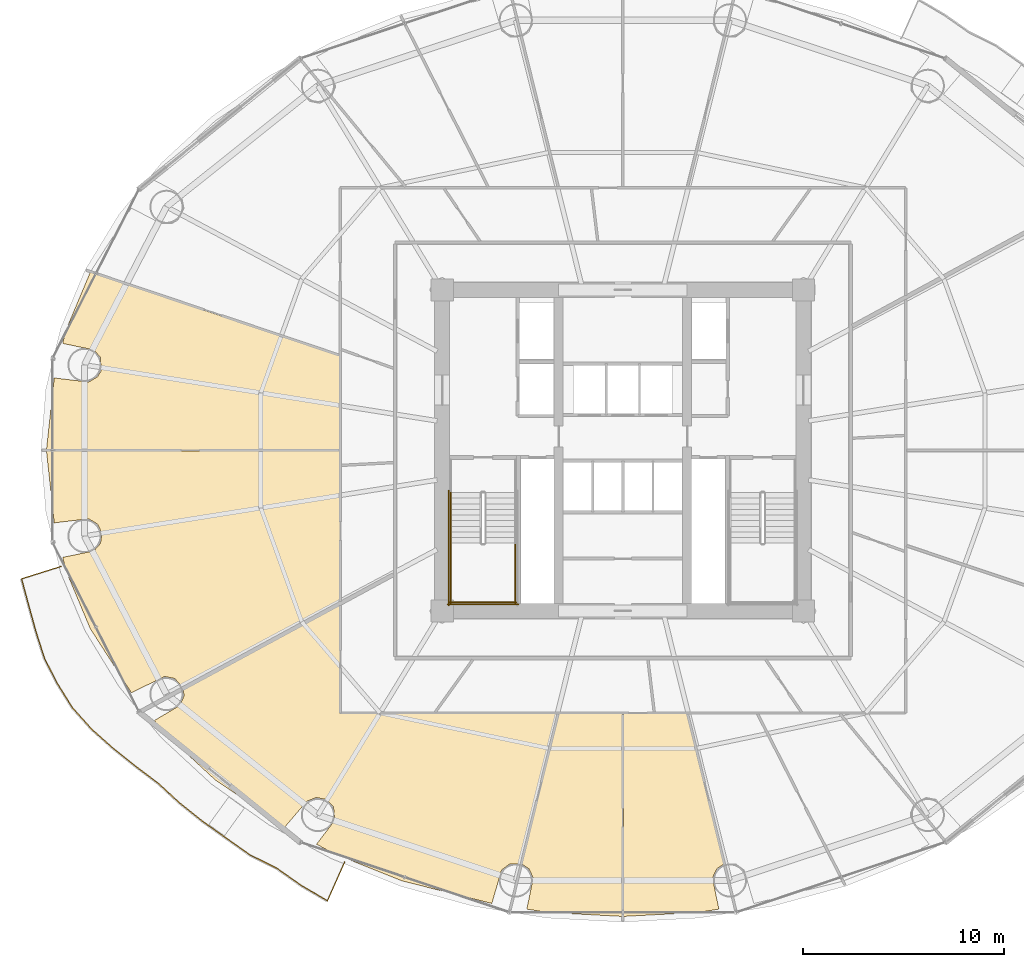
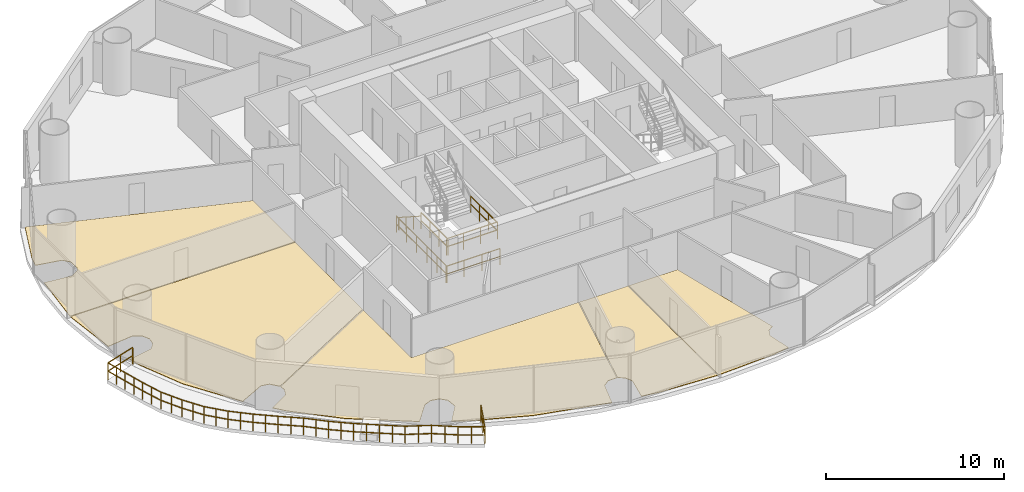
# One storey, part 27 of 30: 7 railings, 5 coverings.
"""IFC4 building model written with IfcOpenShell, lengths in metres."""

from ifc_helpers import new_model, si_unit, direction, frame, origin, origin_2d, place, context, subcontext, project, spatial, polyline, rectangle, outline, extrude, material, layer, layer_set, type_object, element, save


model = new_model("IFC4")

# Units and contexts
model_context = context("Model", 3, precision=1e-05, world=origin(), true_north=direction((-0.2419218956, 0.970295726276)))
body_context = subcontext(model_context, "Body", "Model", "MODEL_VIEW")
ifc_project = project(units=[si_unit("LENGTHUNIT", "METRE"), si_unit("AREAUNIT", "SQUARE_METRE"), si_unit("VOLUMEUNIT", "CUBIC_METRE"), si_unit("PLANEANGLEUNIT", "RADIAN"), si_unit("MASSUNIT", "GRAM", prefix="KILO")], contexts=[model_context])

# Site, building, storey
site_placement = place(None, origin())
site = spatial("IfcSite", under=ifc_project, at=site_placement, CompositionType="ELEMENT")
building_placement = place(site_placement, origin())
building = spatial("IfcBuilding", under=site, at=building_placement, Name="Cobrevalo Terracotta Tower", CompositionType="ELEMENT")
storey_placement = place(building_placement, frame((0.0, 0.0, 60.0)))
storey = spatial("IfcBuildingStorey", under=building, at=storey_placement, Name="L15", CompositionType="ELEMENT", Elevation=60.0)

# Railing
ifc_material_1 = material(Name="Laminated structural glass and stainless steel", Category="steel")
railing_type_1 = type_object("IfcRailingType", Name="Balcony lobe structural glass & terracotta-cap balustrade 1180 mm", PredefinedType="BALUSTRADE", material=ifc_material_1)
railing_1_placement = place(storey_placement, frame((10.007080078125, 21.018310546875, 0.0)))
element("IfcRailing", 1, at=railing_1_placement, inside=storey, type_object=railing_type_1, Name="L15 spiralling balcony lobe balustrade 2", PredefinedType="BALUSTRADE", context=body_context, shape_type="SweptSolid", body=[
    extrude(rectangle(XDim=0.048095703125, YDim=0.048095703125, at=origin_2d()), frame((0.0, 0.0, 1.15576171875), z_axis=(-0.953993716901, -0.29982659674, 0.0), x_axis=(0.29982659674, -0.953993716901, 0.0)), (0.0, 0.0, 1.0), 2.06005859375),
    extrude(rectangle(XDim=0.048095703125, YDim=0.048095703125, at=origin_2d()), frame((0.0, 0.0, 0.58984375), z_axis=(-0.953993716901, -0.29982659674, 0.0), x_axis=(0.29982659674, -0.953993716901, 0.0)), (0.0, 0.0, 1.0), 2.06005859375),
    extrude(rectangle(XDim=0.048095703125, YDim=0.048095703125, at=origin_2d()), frame((-1.96533203125, -0.61767578125, 1.15576171875), z_axis=(0.260192869128, -0.96555666372, 0.0), x_axis=(0.96555666372, 0.260192869128, 0.0)), (0.0, 0.0, 1.0), 1.356689453125),
    extrude(rectangle(XDim=0.048095703125, YDim=0.048095703125, at=origin_2d()), frame((-1.96533203125, -0.61767578125, 0.58984375), z_axis=(0.260192869128, -0.96555666372, 0.0), x_axis=(0.96555666372, 0.260192869128, 0.0)), (0.0, 0.0, 1.0), 1.356689453125),
    extrude(rectangle(XDim=0.048095703125, YDim=0.048095703125, at=origin_2d()), frame((-1.6123046875, -1.927734375, 1.15576171875), z_axis=(0.265407333584, -0.964136373798, 0.0), x_axis=(0.964136373798, 0.265407333584, 0.0)), (0.0, 0.0, 1.0), 1.3798828125),
    extrude(rectangle(XDim=0.048095703125, YDim=0.048095703125, at=origin_2d()), frame((-1.6123046875, -1.927734375, 0.58984375), z_axis=(0.265407333584, -0.964136373798, 0.0), x_axis=(0.964136373798, 0.265407333584, 0.0)), (0.0, 0.0, 1.0), 1.3798828125),
    extrude(rectangle(XDim=0.048095703125, YDim=0.048095703125, at=origin_2d()), frame((-1.24609375, -3.258056640625, 1.15576171875), z_axis=(0.303543235767, -0.952817665674, 0.0), x_axis=(0.952817665674, 0.303543235767, 0.0)), (0.0, 0.0, 1.0), 1.394775390625),
    extrude(rectangle(XDim=0.048095703125, YDim=0.048095703125, at=origin_2d()), frame((-1.24609375, -3.258056640625, 0.58984375), z_axis=(0.303543235767, -0.952817665674, 0.0), x_axis=(0.952817665674, 0.303543235767, 0.0)), (0.0, 0.0, 1.0), 1.394775390625),
    extrude(rectangle(XDim=0.048095703125, YDim=0.048095703125, at=origin_2d()), frame((-0.82275390625, -4.5869140625, 1.15576171875), z_axis=(0.456538067647, -0.889703879271, 0.0), x_axis=(0.889703879271, 0.456538067647, 0.0)), (0.0, 0.0, 1.0), 1.41015625),
    extrude(rectangle(XDim=0.048095703125, YDim=0.048095703125, at=origin_2d()), frame((-0.82275390625, -4.5869140625, 0.58984375), z_axis=(0.456538067647, -0.889703879271, 0.0), x_axis=(0.889703879271, 0.456538067647, 0.0)), (0.0, 0.0, 1.0), 1.41015625),
    extrude(rectangle(XDim=0.048095703125, YDim=0.048095703125, at=origin_2d()), frame((-0.178955078125, -5.841552734375, 1.15576171875), z_axis=(0.529095420619, -0.848562334705, 0.0), x_axis=(0.848562334705, 0.529095420619, 0.0)), (0.0, 0.0, 1.0), 1.4091796875),
    extrude(rectangle(XDim=0.048095703125, YDim=0.048095703125, at=origin_2d()), frame((-0.178955078125, -5.841552734375, 0.58984375), z_axis=(0.529095420619, -0.848562334705, 0.0), x_axis=(0.848562334705, 0.529095420619, 0.0)), (0.0, 0.0, 1.0), 1.4091796875),
    extrude(rectangle(XDim=0.048095703125, YDim=0.048095703125, at=origin_2d()), frame((0.566650390625, -7.037353515625, 1.15576171875), z_axis=(0.666535107787, -0.745473641444, 0.0), x_axis=(0.745473641444, 0.666535107787, 0.0)), (0.0, 0.0, 1.0), 1.428955078125),
    extrude(rectangle(XDim=0.048095703125, YDim=0.048095703125, at=origin_2d()), frame((0.566650390625, -7.037353515625, 0.58984375), z_axis=(0.666535107787, -0.745473641444, 0.0), x_axis=(0.745473641444, 0.666535107787, 0.0)), (0.0, 0.0, 1.0), 1.428955078125),
    extrude(rectangle(XDim=0.048095703125, YDim=0.048095703125, at=origin_2d()), frame((1.51904296875, -8.1025390625, 1.15576171875), z_axis=(0.746886054344, -0.664952044756, 0.0), x_axis=(0.664952044756, 0.746886054344, 0.0)), (0.0, 0.0, 1.0), 1.442138671875),
    extrude(rectangle(XDim=0.048095703125, YDim=0.048095703125, at=origin_2d()), frame((1.51904296875, -8.1025390625, 0.58984375), z_axis=(0.746886054344, -0.664952044756, 0.0), x_axis=(0.664952044756, 0.746886054344, 0.0)), (0.0, 0.0, 1.0), 1.442138671875),
    extrude(rectangle(XDim=0.048095703125, YDim=0.048095703125, at=origin_2d()), frame((2.59619140625, -9.0615234375, 1.15576171875), z_axis=(0.781068949339, -0.624444790496, 0.0), x_axis=(0.624444790496, 0.781068949339, 0.0)), (0.0, 0.0, 1.0), 1.427734375),
    extrude(rectangle(XDim=0.048095703125, YDim=0.048095703125, at=origin_2d()), frame((2.59619140625, -9.0615234375, 0.58984375), z_axis=(0.781068949339, -0.624444790496, 0.0), x_axis=(0.624444790496, 0.781068949339, 0.0)), (0.0, 0.0, 1.0), 1.427734375),
    extrude(rectangle(XDim=0.048095703125, YDim=0.048095703125, at=origin_2d()), frame((3.71142578125, -9.953125, 1.15576171875), z_axis=(0.797984890944, -0.602677454221, 0.0), x_axis=(0.602677454221, 0.797984890944, 0.0)), (0.0, 0.0, 1.0), 1.442626953125),
    extrude(rectangle(XDim=0.048095703125, YDim=0.048095703125, at=origin_2d()), frame((3.71142578125, -9.953125, 0.58984375), z_axis=(0.797984890944, -0.602677454221, 0.0), x_axis=(0.602677454221, 0.797984890944, 0.0)), (0.0, 0.0, 1.0), 1.442626953125),
    extrude(rectangle(XDim=0.048095703125, YDim=0.048095703125, at=origin_2d()), frame((4.862548828125, -10.822509765625, 1.15576171875), z_axis=(0.735558589309, -0.677461114525, 0.0), x_axis=(0.677461114525, 0.735558589309, 0.0)), (0.0, 0.0, 1.0), 1.424560546875),
    extrude(rectangle(XDim=0.048095703125, YDim=0.048095703125, at=origin_2d()), frame((4.862548828125, -10.822509765625, 0.58984375), z_axis=(0.735558589309, -0.677461114525, 0.0), x_axis=(0.677461114525, 0.735558589309, 0.0)), (0.0, 0.0, 1.0), 1.424560546875),
    extrude(rectangle(XDim=0.048095703125, YDim=0.048095703125, at=origin_2d()), frame((5.910400390625, -11.78759765625, 1.15576171875), z_axis=(0.781083793107, -0.624426223141, 0.0), x_axis=(0.624426223141, 0.781083793107, 0.0)), (0.0, 0.0, 1.0), 1.43994140625),
    extrude(rectangle(XDim=0.048095703125, YDim=0.048095703125, at=origin_2d()), frame((5.910400390625, -11.78759765625, 0.58984375), z_axis=(0.781083793107, -0.624426223141, 0.0), x_axis=(0.624426223141, 0.781083793107, 0.0)), (0.0, 0.0, 1.0), 1.43994140625),
    extrude(rectangle(XDim=0.048095703125, YDim=0.048095703125, at=origin_2d()), frame((7.03515625, -12.686767578125, 1.15576171875), z_axis=(0.815022146155, -0.579429807032, 0.0), x_axis=(0.579429807032, 0.815022146155, 0.0)), (0.0, 0.0, 1.0), 1.45703125),
    extrude(rectangle(XDim=0.048095703125, YDim=0.048095703125, at=origin_2d()), frame((7.03515625, -12.686767578125, 0.58984375), z_axis=(0.815022146155, -0.579429807032, 0.0), x_axis=(0.579429807032, 0.815022146155, 0.0)), (0.0, 0.0, 1.0), 1.45703125),
    extrude(rectangle(XDim=0.048095703125, YDim=0.048095703125, at=origin_2d()), frame((8.22265625, -13.531005859375, 1.15576171875), z_axis=(0.816670197999, -0.577104659227, 0.0), x_axis=(0.577104659227, 0.816670197999, 0.0)), (0.0, 0.0, 1.0), 1.455322265625),
    extrude(rectangle(XDim=0.048095703125, YDim=0.048095703125, at=origin_2d()), frame((8.22265625, -13.531005859375, 0.58984375), z_axis=(0.816670197999, -0.577104659227, 0.0), x_axis=(0.577104659227, 0.816670197999, 0.0)), (0.0, 0.0, 1.0), 1.455322265625),
    extrude(rectangle(XDim=0.048095703125, YDim=0.048095703125, at=origin_2d()), frame((9.4111328125, -14.370849609375, 1.15576171875), z_axis=(0.895408632884, -0.445245303353, 0.0), x_axis=(0.445245303353, 0.895408632884, 0.0)), (0.0, 0.0, 1.0), 1.4892578125),
    extrude(rectangle(XDim=0.048095703125, YDim=0.048095703125, at=origin_2d()), frame((9.4111328125, -14.370849609375, 0.58984375), z_axis=(0.895408632884, -0.445245303353, 0.0), x_axis=(0.445245303353, 0.895408632884, 0.0)), (0.0, 0.0, 1.0), 1.4892578125),
    extrude(rectangle(XDim=0.048095703125, YDim=0.048095703125, at=origin_2d()), frame((10.74462890625, -15.033935546875, 1.15576171875), z_axis=(0.81819790727, -0.574936678721, 0.0), x_axis=(0.574936678721, 0.81819790727, 0.0)), (0.0, 0.0, 1.0), 1.49951171875),
    extrude(rectangle(XDim=0.048095703125, YDim=0.048095703125, at=origin_2d()), frame((10.74462890625, -15.033935546875, 0.58984375), z_axis=(0.81819790727, -0.574936678721, 0.0), x_axis=(0.574936678721, 0.81819790727, 0.0)), (0.0, 0.0, 1.0), 1.49951171875),
    extrude(rectangle(XDim=0.048095703125, YDim=0.048095703125, at=origin_2d()), frame((11.971435546875, -15.89599609375, 1.15576171875), z_axis=(0.862515497431, -0.506030647977, 0.0), x_axis=(0.506030647977, 0.862515497431, 0.0)), (0.0, 0.0, 1.0), 1.510009765625),
    extrude(rectangle(XDim=0.048095703125, YDim=0.048095703125, at=origin_2d()), frame((11.971435546875, -15.89599609375, 0.58984375), z_axis=(0.862515497431, -0.506030647977, 0.0), x_axis=(0.506030647977, 0.862515497431, 0.0)), (0.0, 0.0, 1.0), 1.510009765625),
    extrude(rectangle(XDim=0.048095703125, YDim=0.048095703125, at=origin_2d()), frame((13.27392578125, -16.66015625, 1.15576171875), z_axis=(0.406106288206, 0.913825849207, 0.0), x_axis=(-0.913825849207, 0.406106288206, 0.0)), (0.0, 0.0, 1.0), 2.11181640625),
    extrude(rectangle(XDim=0.048095703125, YDim=0.048095703125, at=origin_2d()), frame((13.27392578125, -16.66015625, 0.58984375), z_axis=(0.406106288206, 0.913825849207, 0.0), x_axis=(-0.913825849207, 0.406106288206, 0.0)), (0.0, 0.0, 1.0), 2.11181640625),
    extrude(rectangle(XDim=0.0419921875, YDim=0.0419921875, at=origin_2d()), origin(), (0.0, 0.0, 1.0), 1.1318359375),
    extrude(rectangle(XDim=0.0419921875, YDim=0.0419921875, at=origin_2d()), frame((-0.982666015625, -0.308837890625, 0.0)), (0.0, 0.0, 1.0), 1.1318359375),
    extrude(rectangle(XDim=0.0419921875, YDim=0.0419921875, at=origin_2d()), frame((-1.96533203125, -0.61767578125, 0.0)), (0.0, 0.0, 1.0), 1.1318359375),
    extrude(rectangle(XDim=0.0419921875, YDim=0.0419921875, at=origin_2d()), frame((-1.788818359375, -1.272705078125, 0.0)), (0.0, 0.0, 1.0), 1.1318359375),
    extrude(rectangle(XDim=0.0419921875, YDim=0.0419921875, at=origin_2d()), frame((-1.6123046875, -1.927734375, 0.0)), (0.0, 0.0, 1.0), 1.1318359375),
    extrude(rectangle(XDim=0.0419921875, YDim=0.0419921875, at=origin_2d()), frame((-1.42919921875, -2.5927734375, 0.0)), (0.0, 0.0, 1.0), 1.1318359375),
    extrude(rectangle(XDim=0.0419921875, YDim=0.0419921875, at=origin_2d()), frame((-1.24609375, -3.258056640625, 0.0)), (0.0, 0.0, 1.0), 1.1318359375),
    extrude(rectangle(XDim=0.0419921875, YDim=0.0419921875, at=origin_2d()), frame((-1.034423828125, -3.92236328125, 0.0)), (0.0, 0.0, 1.0), 1.1318359375),
    extrude(rectangle(XDim=0.0419921875, YDim=0.0419921875, at=origin_2d()), frame((-0.82275390625, -4.5869140625, 0.0)), (0.0, 0.0, 1.0), 1.1318359375),
    extrude(rectangle(XDim=0.0419921875, YDim=0.0419921875, at=origin_2d()), frame((-0.5009765625, -5.21435546875, 0.0)), (0.0, 0.0, 1.0), 1.1318359375),
    extrude(rectangle(XDim=0.0419921875, YDim=0.0419921875, at=origin_2d()), frame((-0.178955078125, -5.841552734375, 0.0)), (0.0, 0.0, 1.0), 1.1318359375),
    extrude(rectangle(XDim=0.0419921875, YDim=0.0419921875, at=origin_2d()), frame((0.19384765625, -6.439453125, 0.0)), (0.0, 0.0, 1.0), 1.1318359375),
    extrude(rectangle(XDim=0.0419921875, YDim=0.0419921875, at=origin_2d()), frame((0.566650390625, -7.037353515625, 0.0)), (0.0, 0.0, 1.0), 1.1318359375),
    extrude(rectangle(XDim=0.0419921875, YDim=0.0419921875, at=origin_2d()), frame((1.04296875, -7.56982421875, 0.0)), (0.0, 0.0, 1.0), 1.1318359375),
    extrude(rectangle(XDim=0.0419921875, YDim=0.0419921875, at=origin_2d()), frame((1.51904296875, -8.1025390625, 0.0)), (0.0, 0.0, 1.0), 1.1318359375),
    extrude(rectangle(XDim=0.0419921875, YDim=0.0419921875, at=origin_2d()), frame((2.0576171875, -8.58203125, 0.0)), (0.0, 0.0, 1.0), 1.1318359375),
    extrude(rectangle(XDim=0.0419921875, YDim=0.0419921875, at=origin_2d()), frame((2.59619140625, -9.0615234375, 0.0)), (0.0, 0.0, 1.0), 1.1318359375),
    extrude(rectangle(XDim=0.0419921875, YDim=0.0419921875, at=origin_2d()), frame((3.15380859375, -9.50732421875, 0.0)), (0.0, 0.0, 1.0), 1.1318359375),
    extrude(rectangle(XDim=0.0419921875, YDim=0.0419921875, at=origin_2d()), frame((3.71142578125, -9.953125, 0.0)), (0.0, 0.0, 1.0), 1.1318359375),
    extrude(rectangle(XDim=0.0419921875, YDim=0.0419921875, at=origin_2d()), frame((4.287109375, -10.3876953125, 0.0)), (0.0, 0.0, 1.0), 1.1318359375),
    extrude(rectangle(XDim=0.0419921875, YDim=0.0419921875, at=origin_2d()), frame((4.862548828125, -10.822509765625, 0.0)), (0.0, 0.0, 1.0), 1.1318359375),
    extrude(rectangle(XDim=0.0419921875, YDim=0.0419921875, at=origin_2d()), frame((5.386474609375, -11.30517578125, 0.0)), (0.0, 0.0, 1.0), 1.1318359375),
    extrude(rectangle(XDim=0.0419921875, YDim=0.0419921875, at=origin_2d()), frame((5.910400390625, -11.78759765625, 0.0)), (0.0, 0.0, 1.0), 1.1318359375),
    extrude(rectangle(XDim=0.0419921875, YDim=0.0419921875, at=origin_2d()), frame((6.47265625, -12.2373046875, 0.0)), (0.0, 0.0, 1.0), 1.1318359375),
    extrude(rectangle(XDim=0.0419921875, YDim=0.0419921875, at=origin_2d()), frame((7.03515625, -12.686767578125, 0.0)), (0.0, 0.0, 1.0), 1.1318359375),
    extrude(rectangle(XDim=0.0419921875, YDim=0.0419921875, at=origin_2d()), frame((7.62890625, -13.10888671875, 0.0)), (0.0, 0.0, 1.0), 1.1318359375),
    extrude(rectangle(XDim=0.0419921875, YDim=0.0419921875, at=origin_2d()), frame((8.22265625, -13.531005859375, 0.0)), (0.0, 0.0, 1.0), 1.1318359375),
    extrude(rectangle(XDim=0.0419921875, YDim=0.0419921875, at=origin_2d()), frame((8.81689453125, -13.950927734375, 0.0)), (0.0, 0.0, 1.0), 1.1318359375),
    extrude(rectangle(XDim=0.0419921875, YDim=0.0419921875, at=origin_2d()), frame((9.4111328125, -14.370849609375, 0.0)), (0.0, 0.0, 1.0), 1.1318359375),
    extrude(rectangle(XDim=0.0419921875, YDim=0.0419921875, at=origin_2d()), frame((10.077880859375, -14.702392578125, 0.0)), (0.0, 0.0, 1.0), 1.1318359375),
    extrude(rectangle(XDim=0.0419921875, YDim=0.0419921875, at=origin_2d()), frame((10.74462890625, -15.033935546875, 0.0)), (0.0, 0.0, 1.0), 1.1318359375),
    extrude(rectangle(XDim=0.0419921875, YDim=0.0419921875, at=origin_2d()), frame((11.35791015625, -15.46484375, 0.0)), (0.0, 0.0, 1.0), 1.1318359375),
    extrude(rectangle(XDim=0.0419921875, YDim=0.0419921875, at=origin_2d()), frame((11.971435546875, -15.89599609375, 0.0)), (0.0, 0.0, 1.0), 1.1318359375),
    extrude(rectangle(XDim=0.0419921875, YDim=0.0419921875, at=origin_2d()), frame((12.62255859375, -16.278076171875, 0.0)), (0.0, 0.0, 1.0), 1.1318359375),
    extrude(rectangle(XDim=0.0419921875, YDim=0.0419921875, at=origin_2d()), frame((13.27392578125, -16.66015625, 0.0)), (0.0, 0.0, 1.0), 1.1318359375),
    extrude(rectangle(XDim=0.0419921875, YDim=0.0419921875, at=origin_2d()), frame((13.70263671875, -15.6953125, 0.0)), (0.0, 0.0, 1.0), 1.1318359375),
    extrude(rectangle(XDim=0.0419921875, YDim=0.0419921875, at=origin_2d()), frame((14.131591796875, -14.730224609375, 0.0)), (0.0, 0.0, 1.0), 1.1318359375),
])

# Coverings
ifc_material_2 = material(Name="Engineered Brazilian hardwood flooring", Category="wood")
ifc_layer = layer(ifc_material_2, 0.028076171875)
ifc_layer_set = layer_set([ifc_layer], Name="Engineered Brazilian hardwood flooring")
covering_type = type_object("IfcCoveringType", Name="Engineered Hardwood Suite Flooring 28", PredefinedType="FLOORING", material=ifc_layer_set)
covering_1_placement = place(storey_placement, origin())
element("IfcCovering", 2, at=covering_1_placement, inside=storey, type_object=covering_type, Name="Flat L15A Penthouse Family Lounge floor finish", PredefinedType="FLOORING", context=body_context, shape_type="SweptSolid", body=[
    extrude(outline(polyline([(9.668701171875, 30.4111328125), (11.380615234375, 30.206787109375), (11.821533203125, 30.465087890625), (12.0009765625, 30.757568359375), (11.974853515625, 31.4306640625), (11.6357421875, 31.81298828125), (10.090576171875, 32.126220703125), (10.25830078125, 32.80859375), (11.468505859375, 35.684326171875), (23.89501953125, 31.513427734375), (23.89501953125, 26.820068359375), (9.28173828125, 26.820068359375), (9.668701171875, 30.4111328125)])), origin(), (0.0, 0.0, 1.0), 0.030029296875),
])
covering_2_placement = place(storey_placement, origin())
element("IfcCovering", 3, at=covering_2_placement, inside=storey, type_object=covering_type, Name="Flat L15A Private Cinema Room floor finish", PredefinedType="FLOORING", context=body_context, shape_type="SweptSolid", body=[
    extrude(outline(polyline([(10.090576171875, 21.473876953125), (11.6357421875, 21.787109375), (11.974853515625, 22.169189453125), (12.044677734375, 22.67529296875), (11.821533203125, 23.135009765625), (11.380615234375, 23.39306640625), (9.668701171875, 23.18896484375), (9.28173828125, 26.780029296875), (23.89501953125, 26.780029296875), (23.89501953125, 19.185546875), (16.084716796875, 14.95654296875), (15.674560546875, 15.436767578125), (15.173583984375, 15.53662109375), (13.511962890625, 14.7255859375), (11.465576171875, 17.91552734375), (10.25830078125, 20.791259765625), (10.090576171875, 21.473876953125)])), origin(), (0.0, 0.0, 1.0), 0.030029296875),
])
covering_3_placement = place(storey_placement, origin())
element("IfcCovering", 4, at=covering_3_placement, inside=storey, type_object=covering_type, Name="Flat L15B Penthouse Living and Dining Room floor finish", PredefinedType="FLOORING", context=body_context, shape_type="SweptSolid", body=[
    extrude(outline(polyline([(27.008056640625, 5.34814453125), (23.638427734375, 6.691650390625), (22.73681640625, 7.178955078125), (23.64501953125, 8.369140625), (23.585205078125, 9.0400390625), (23.227294921875, 9.40478515625), (22.72705078125, 9.509033203125), (22.253173828125, 9.31787109375), (21.156494140625, 8.03271484375), (17.6904296875, 10.38232421875), (15.213623046875, 12.666259765625), (14.65576171875, 13.341064453125), (15.939208984375, 14.10205078125), (16.135009765625, 14.573974609375), (16.09765625, 14.91796875), (23.89501953125, 19.14013671875), (23.89501953125, 13.695068359375), (34.762451171875, 13.695068359375), (32.924560546875, 6.20703125), (32.36669921875, 6.197998046875), (31.95654296875, 5.89306640625), (31.472412109375, 4.2255859375), (27.008056640625, 5.34814453125)])), origin(), (0.0, 0.0, 1.0), 0.030029296875),
])
covering_4_placement = place(storey_placement, origin())
element("IfcCovering", 5, at=covering_4_placement, inside=storey, type_object=covering_type, Name="Flat L15B Master Bedroom floor finish", PredefinedType="FLOORING", context=body_context, shape_type="SweptSolid", body=[
    extrude(outline(polyline([(33.21630859375, 3.945068359375), (33.53466796875, 5.500244140625), (33.3154296875, 5.9619140625), (32.96240234375, 6.193359375), (34.8037109375, 13.695068359375), (37.97998046875, 13.695068359375), (37.97998046875, 3.5810546875), (34.250732421875, 3.77880859375), (33.21630859375, 3.945068359375)])), origin(), (0.0, 0.0, 1.0), 0.030029296875),
])
covering_5_placement = place(storey_placement, origin())
element("IfcCovering", 6, at=covering_5_placement, inside=storey, type_object=covering_type, Name="Flat L15B Principal Guest Bedroom floor finish", PredefinedType="FLOORING", context=body_context, shape_type="SweptSolid", body=[
    extrude(outline(polyline([(38.02001953125, 3.5810546875), (38.02001953125, 13.695068359375), (41.1962890625, 13.695068359375), (43.03759765625, 6.193359375), (42.6845703125, 5.9619140625), (42.46533203125, 5.500244140625), (42.78369140625, 3.945068359375), (41.749267578125, 3.77880859375), (38.02001953125, 3.5810546875)])), origin(), (0.0, 0.0, 1.0), 0.030029296875),
])

# Railings
ifc_material_3 = material(Name="Brushed stainless steel", Category="steel")
railing_type_2 = type_object("IfcRailingType", Name="Stainless Steel Stair Handrail 900", PredefinedType="HANDRAIL", material=ifc_material_3)
railing_2_placement = place(storey_placement, frame((29.425048828125, 24.699951171875, 0.179931640625)))
element("IfcRailing", 7, at=railing_2_placement, inside=storey, type_object=railing_type_2, Name="L15 ST-1 stair handrail 1", PredefinedType="HANDRAIL", context=body_context, shape_type="SweptSolid", body=[
    extrude(rectangle(XDim=0.048095703125, YDim=0.048095703125, at=origin_2d()), frame((0.0, 0.0, 0.8759765625), z_axis=(0.0, -0.841162588446, 0.540782303519), x_axis=(1.0, 0.0, 0.0)), (0.0, 0.0, 1.0), 2.995849609375),
    extrude(rectangle(XDim=0.0419921875, YDim=0.0419921875, at=origin_2d()), origin(), (0.0, 0.0, 1.0), 0.851806640625),
    extrude(rectangle(XDim=0.0419921875, YDim=0.0419921875, at=origin_2d()), frame((0.0, -0.840087890625, 0.5400390625)), (0.0, 0.0, 1.0), 0.851806640625),
    extrude(rectangle(XDim=0.0419921875, YDim=0.0419921875, at=origin_2d()), frame((0.0, -1.679931640625, 1.080078125)), (0.0, 0.0, 1.0), 0.851806640625),
    extrude(rectangle(XDim=0.0419921875, YDim=0.0419921875, at=origin_2d()), frame((0.0, -2.52001953125, 1.6201171875)), (0.0, 0.0, 1.0), 0.851806640625),
])
ifc_material_4 = material(Name="Painted galvanized steel", Category="steel")
railing_type_3 = type_object("IfcRailingType", Name="Stair Well Guard Balustrade 1150", PredefinedType="GUARDRAIL", material=ifc_material_4)
for number, where, name in (
    (8, (29.425048828125, 22.179931640625, 1.800048828125), "L15 ST-1 stair guard 3"),
    (9, (32.64501953125, 22.179931640625, 1.800048828125), "L15 ST-1 stair guard 4"),
):
    element("IfcRailing", number, at=place(storey_placement, frame(where)), inside=storey, type_object=railing_type_3, Name=name, PredefinedType="GUARDRAIL", context=body_context, shape_type="SweptSolid", body=[
        extrude(rectangle(XDim=0.048095703125, YDim=0.048095703125, at=origin_2d()), frame((0.0, 0.0, 1.1259765625), z_axis=(0.0, -1.0, 0.0), x_axis=(1.0, 0.0, 0.0)), (0.0, 0.0, 1.0), 3.0048828125),
        extrude(rectangle(XDim=0.048095703125, YDim=0.048095703125, at=origin_2d()), frame((0.0, 0.0, 0.574951171875), z_axis=(0.0, -1.0, 0.0), x_axis=(1.0, 0.0, 0.0)), (0.0, 0.0, 1.0), 3.0048828125),
        extrude(rectangle(XDim=0.0419921875, YDim=0.0419921875, at=origin_2d()), origin(), (0.0, 0.0, 1.0), 1.101806640625),
        extrude(rectangle(XDim=0.0419921875, YDim=0.0419921875, at=origin_2d()), frame((0.0, -1.001708984375, 0.0)), (0.0, 0.0, 1.0), 1.101806640625),
        extrude(rectangle(XDim=0.0419921875, YDim=0.0419921875, at=origin_2d()), frame((0.0, -2.003173828125, 0.0)), (0.0, 0.0, 1.0), 1.101806640625),
        extrude(rectangle(XDim=0.0419921875, YDim=0.0419921875, at=origin_2d()), frame((0.0, -3.0048828125, 0.0)), (0.0, 0.0, 1.0), 1.101806640625),
    ])
railing_3_placement = place(storey_placement, frame((29.375, 19.22509765625, 1.800048828125)))
element("IfcRailing", 10, at=railing_3_placement, inside=storey, type_object=railing_type_3, Name="L15 ST-1 stair guard 5", PredefinedType="GUARDRAIL", context=body_context, shape_type="SweptSolid", body=[
    extrude(rectangle(XDim=0.048095703125, YDim=0.048095703125, at=origin_2d()), frame((0.0, 0.0, 1.1259765625), z_axis=(1.0, 0.0, 0.0), x_axis=(0.0, 1.0, 0.0)), (0.0, 0.0, 1.0), 3.320068359375),
    extrude(rectangle(XDim=0.048095703125, YDim=0.048095703125, at=origin_2d()), frame((0.0, 0.0, 0.574951171875), z_axis=(1.0, 0.0, 0.0), x_axis=(0.0, 1.0, 0.0)), (0.0, 0.0, 1.0), 3.320068359375),
    extrude(rectangle(XDim=0.0419921875, YDim=0.0419921875, at=origin_2d()), origin(), (0.0, 0.0, 1.0), 1.101806640625),
    extrude(rectangle(XDim=0.0419921875, YDim=0.0419921875, at=origin_2d()), frame((1.106689453125, 0.0, 0.0)), (0.0, 0.0, 1.0), 1.101806640625),
    extrude(rectangle(XDim=0.0419921875, YDim=0.0419921875, at=origin_2d()), frame((2.21337890625, 0.0, 0.0)), (0.0, 0.0, 1.0), 1.101806640625),
    extrude(rectangle(XDim=0.0419921875, YDim=0.0419921875, at=origin_2d()), frame((3.320068359375, 0.0, 0.0)), (0.0, 0.0, 1.0), 1.101806640625),
])
railing_4_placement = place(storey_placement, frame((29.324951171875, 24.800048828125, 0.0)))
element("IfcRailing", 11, at=railing_4_placement, inside=storey, type_object=railing_type_3, Name="L15 ST-1 stair guard 10", PredefinedType="GUARDRAIL", context=body_context, shape_type="SweptSolid", body=[
    extrude(rectangle(XDim=0.048095703125, YDim=0.048095703125, at=origin_2d()), frame((0.0, 0.0, 1.1259765625), z_axis=(0.0, -1.0, 0.0), x_axis=(1.0, 0.0, 0.0)), (0.0, 0.0, 1.0), 5.72509765625),
    extrude(rectangle(XDim=0.048095703125, YDim=0.048095703125, at=origin_2d()), frame((0.0, 0.0, 0.574951171875), z_axis=(0.0, -1.0, 0.0), x_axis=(1.0, 0.0, 0.0)), (0.0, 0.0, 1.0), 5.72509765625),
    extrude(rectangle(XDim=0.0419921875, YDim=0.0419921875, at=origin_2d()), origin(), (0.0, 0.0, 1.0), 1.101806640625),
    extrude(rectangle(XDim=0.0419921875, YDim=0.0419921875, at=origin_2d()), frame((0.0, -1.14501953125, 0.0)), (0.0, 0.0, 1.0), 1.101806640625),
    extrude(rectangle(XDim=0.0419921875, YDim=0.0419921875, at=origin_2d()), frame((0.0, -2.2900390625, 0.0)), (0.0, 0.0, 1.0), 1.101806640625),
    extrude(rectangle(XDim=0.0419921875, YDim=0.0419921875, at=origin_2d()), frame((0.0, -3.43505859375, 0.0)), (0.0, 0.0, 1.0), 1.101806640625),
    extrude(rectangle(XDim=0.0419921875, YDim=0.0419921875, at=origin_2d()), frame((0.0, -4.580078125, 0.0)), (0.0, 0.0, 1.0), 1.101806640625),
    extrude(rectangle(XDim=0.0419921875, YDim=0.0419921875, at=origin_2d()), frame((0.0, -5.72509765625, 0.0)), (0.0, 0.0, 1.0), 1.101806640625),
])
railing_5_placement = place(storey_placement, frame((29.27490234375, 19.125, 0.0)))
element("IfcRailing", 12, at=railing_5_placement, inside=storey, type_object=railing_type_3, Name="L15 ST-1 stair guard 12", PredefinedType="GUARDRAIL", context=body_context, shape_type="SweptSolid", body=[
    extrude(rectangle(XDim=0.048095703125, YDim=0.048095703125, at=origin_2d()), frame((0.0, 0.0, 1.1259765625), z_axis=(1.0, 0.0, 0.0), x_axis=(0.0, 1.0, 0.0)), (0.0, 0.0, 1.0), 3.52001953125),
    extrude(rectangle(XDim=0.048095703125, YDim=0.048095703125, at=origin_2d()), frame((0.0, 0.0, 0.574951171875), z_axis=(1.0, 0.0, 0.0), x_axis=(0.0, 1.0, 0.0)), (0.0, 0.0, 1.0), 3.52001953125),
    extrude(rectangle(XDim=0.0419921875, YDim=0.0419921875, at=origin_2d()), origin(), (0.0, 0.0, 1.0), 1.101806640625),
    extrude(rectangle(XDim=0.0419921875, YDim=0.0419921875, at=origin_2d()), frame((1.17333984375, 0.0, 0.0)), (0.0, 0.0, 1.0), 1.101806640625),
    extrude(rectangle(XDim=0.0419921875, YDim=0.0419921875, at=origin_2d()), frame((2.3466796875, 0.0, 0.0)), (0.0, 0.0, 1.0), 1.101806640625),
    extrude(rectangle(XDim=0.0419921875, YDim=0.0419921875, at=origin_2d()), frame((3.52001953125, 0.0, 0.0)), (0.0, 0.0, 1.0), 1.101806640625),
])

save(model, "model.ifc")
